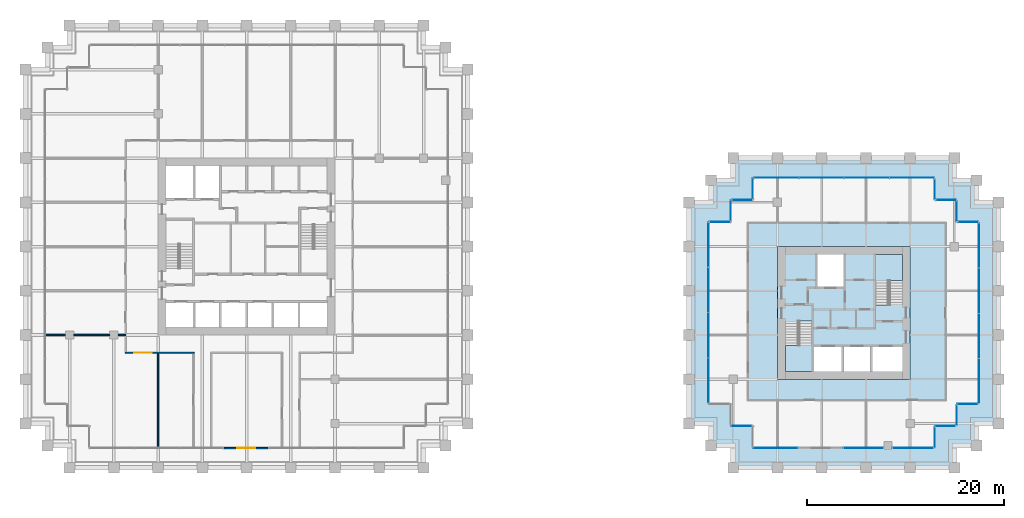
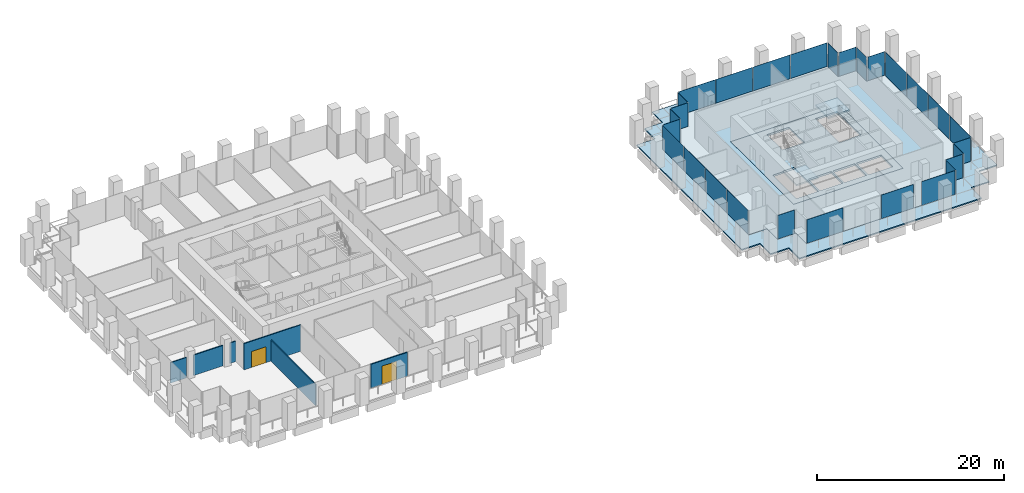
# One storey, part 49 of 56: 28 plates, 6 walls, 5 slabs, 2 doors, 2 openings, 21 elements without a shape of their own.
"""IFC4 building model written with IfcOpenShell, lengths in metres."""

from ifc_helpers import new_model, si_unit, direction, frame, frame_2d, origin, origin_2d, place, context, subcontext, project, spatial, polyline, rectangle, outline, extrude, material, layer, layer_set, type_object, element, fill, aggregate, save


model = new_model("IFC4")

# Units and contexts
model_context = context("Model", 3, precision=1e-05, world=origin(), true_north=direction((0.0, 1.0)))
body_context = subcontext(model_context, "Body", "Model", "MODEL_VIEW")
ifc_project = project(units=[si_unit("LENGTHUNIT", "METRE"), si_unit("AREAUNIT", "SQUARE_METRE"), si_unit("VOLUMEUNIT", "CUBIC_METRE"), si_unit("PLANEANGLEUNIT", "RADIAN"), si_unit("MASSUNIT", "GRAM", prefix="KILO")], contexts=[model_context])

# Site, building, storey
site_placement = place(None, origin())
site = spatial("IfcSite", under=ifc_project, at=site_placement, CompositionType="ELEMENT")
building_placement = place(site_placement, origin())
building = spatial("IfcBuilding", under=site, at=building_placement, Name="Altepetl Exchange Towers", CompositionType="ELEMENT")
storey_placement = place(building_placement, frame((0.0, 0.0, 69.0)))
storey = spatial("IfcBuildingStorey", under=building, at=storey_placement, Name="L16", CompositionType="ELEMENT", Elevation=69.0)

# Slabs
ifc_material_1 = material(Name="Concrete C40/50", Category="concrete")
ifc_layer_1 = layer(ifc_material_1, 0.14990234375)
ifc_layer_set_1 = layer_set([ifc_layer_1], Name="Concrete C40/50")
slab_type_1 = type_object("IfcSlabType", Name="Composite floor slab 150", PredefinedType="FLOOR", material=ifc_layer_set_1)
slab_1_placement = place(storey_placement, frame((0.0, 0.0, -0.14990234375)))
element("IfcSlab", 1, at=slab_1_placement, inside=storey, type_object=slab_type_1, Name="slab:B:L16:strip0", PredefinedType="FLOOR", context=body_context, shape_type="SweptSolid", body=[
    extrude(outline(polyline([(98.75, 54.25), (98.75, 52.0), (96.5, 52.0), (96.5, 33.5), (98.75, 33.5), (98.75, 31.25), (101.0, 31.25), (101.0, 29.0), (119.5, 29.0), (119.5, 31.25), (121.75, 31.25), (121.75, 33.5), (124.0, 33.5), (124.0, 52.0), (121.75, 52.0), (121.75, 54.25), (119.5, 54.25), (119.5, 56.5), (101.0, 56.5), (101.0, 54.25), (98.75, 54.25)]), holes=[polyline([(117.0, 49.5), (117.0, 36.0), (103.5, 36.0), (103.5, 49.5), (117.0, 49.5)])]), origin(), (0.0, 0.0, 1.0), 0.14990234375),
])
ifc_layer_2 = layer(ifc_material_1, 0.25)
ifc_layer_set_2 = layer_set([ifc_layer_2], Name="Concrete C40/50")
slab_type_2 = type_object("IfcSlabType", Name="Core floor slab 250", PredefinedType="FLOOR", material=ifc_layer_set_2)
slab_2_placement = place(storey_placement, frame((0.0, 0.0, -0.25)))
element("IfcSlab", 2, at=slab_2_placement, inside=storey, type_object=slab_type_2, Name="slab:B:L16:core0", PredefinedType="FLOOR", context=body_context, shape_type="SweptSolid", body=[
    extrude(outline(polyline([(103.5, 36.0), (117.0, 36.0), (117.0, 49.5), (103.5, 49.5), (103.5, 36.0)]), holes=[polyline([(107.199951171875, 36.800048828125), (107.199951171875, 39.300048828125), (110.032958984375, 39.300048828125), (110.032958984375, 36.800048828125), (107.199951171875, 36.800048828125)]), polyline([(110.23291015625, 39.300048828125), (112.967041015625, 39.300048828125), (112.967041015625, 36.800048828125), (110.23291015625, 36.800048828125), (110.23291015625, 39.300048828125)]), polyline([(113.1669921875, 39.300048828125), (116.199951171875, 39.300048828125), (116.199951171875, 36.800048828125), (113.1669921875, 36.800048828125), (113.1669921875, 39.300048828125)]), polyline([(107.0, 36.800048828125), (104.300048828125, 36.800048828125), (104.300048828125, 41.85009765625), (105.60009765625, 41.85009765625), (105.60009765625, 41.948974609375), (107.0, 41.948974609375), (107.0, 36.800048828125)]), polyline([(116.199951171875, 48.699951171875), (116.199951171875, 43.64990234375), (114.89990234375, 43.64990234375), (114.89990234375, 43.551025390625), (113.5, 43.551025390625), (113.5, 48.699951171875), (116.199951171875, 48.699951171875)]), polyline([(107.532958984375, 48.699951171875), (110.26708984375, 48.699951171875), (110.26708984375, 45.39990234375), (107.532958984375, 45.39990234375), (107.532958984375, 48.699951171875)])]), origin(), (0.0, 0.0, 1.0), 0.25),
])

# Curtain wall, plate
ifc_material_2 = material(Name="Aluminium 6063-T6 glazing", Category="aluminium")
curtain_wall_type = type_object("IfcCurtainWallType", Name="Loggia glazing system", PredefinedType="NOTDEFINED", material=ifc_material_2)
curtain_wall_1_placement = place(storey_placement, origin())
curtain_wall_1 = element("IfcCurtainWall", 3, at=curtain_wall_1_placement, inside=storey, type_object=curtain_wall_type, Name="CW1 run", PredefinedType="NOTDEFINED")
ifc_material_3 = material(Name="Glass 6-16-6 low emissivity", Category="glass")
ifc_layer_3 = layer(ifc_material_3, 0.028076171875)
ifc_layer_set_3 = layer_set([ifc_layer_3], Name="Glass 6-16-6 low emissivity")
plate_type = type_object("IfcPlateType", Name="Glass panel 28 double glazed", PredefinedType="CURTAIN_PANEL", material=ifc_layer_set_3)
plate_1_placement = place(storey_placement, frame((97.66259765625, 52.0, 0.0), z_axis=(0.0, 0.0, 1.0), x_axis=(-1.0, 0.0, 0.0)))
plate_1 = element("IfcPlate", 4, at=plate_1_placement, type_object=plate_type, Name="GP1 panel", PredefinedType="CURTAIN_PANEL", context=body_context, shape_type="SweptSolid", body=[
    extrude(rectangle(XDim=2.054931640625, YDim=0.028076171875, at=origin_2d()), origin(), (0.0, 0.0, 1.0), 3.10009765625),
])
aggregate(curtain_wall_1, [plate_1])

# Curtain wall, plates
curtain_wall_2_placement = place(storey_placement, origin())
curtain_wall_2 = element("IfcCurtainWall", 5, at=curtain_wall_2_placement, inside=storey, type_object=curtain_wall_type, Name="CW1 run", PredefinedType="NOTDEFINED")
plate_2_placement = place(storey_placement, frame((96.5, 49.681884765625, 0.0), z_axis=(0.0, 0.0, 1.0), x_axis=(0.0, -1.0, 0.0)))
plate_2 = element("IfcPlate", 6, at=plate_2_placement, type_object=plate_type, Name="GP1 panel", PredefinedType="CURTAIN_PANEL", context=body_context, shape_type="SweptSolid", body=[
    extrude(rectangle(XDim=4.516357421875, YDim=0.028076171875, at=origin_2d()), origin(), (0.0, 0.0, 1.0), 3.10009765625),
])
plate_3_placement = place(storey_placement, frame((96.5, 45.090576171875, 0.0), z_axis=(0.0, 0.0, 1.0), x_axis=(0.0, -1.0, 0.0)))
plate_3 = element("IfcPlate", 7, at=plate_3_placement, type_object=plate_type, Name="GP1 panel", PredefinedType="CURTAIN_PANEL", context=body_context, shape_type="SweptSolid", body=[
    extrude(rectangle(XDim=4.546142578125, YDim=0.028076171875, at=origin_2d()), origin(), (0.0, 0.0, 1.0), 3.10009765625),
])
plate_4_placement = place(storey_placement, frame((96.5, 40.484375, 0.0), z_axis=(0.0, 0.0, 1.0), x_axis=(0.0, -1.0, 0.0)))
plate_4 = element("IfcPlate", 8, at=plate_4_placement, type_object=plate_type, Name="GP1 panel", PredefinedType="CURTAIN_PANEL", context=body_context, shape_type="SweptSolid", body=[
    extrude(rectangle(XDim=4.546142578125, YDim=0.028076171875, at=origin_2d()), origin(), (0.0, 0.0, 1.0), 3.10009765625),
])
plate_5_placement = place(storey_placement, frame((96.5, 35.89306640625, 0.0), z_axis=(0.0, 0.0, 1.0), x_axis=(0.0, -1.0, 0.0)))
plate_5 = element("IfcPlate", 9, at=plate_5_placement, type_object=plate_type, Name="GP1 panel", PredefinedType="CURTAIN_PANEL", context=body_context, shape_type="SweptSolid", body=[
    extrude(rectangle(XDim=4.516357421875, YDim=0.028076171875, at=origin_2d()), origin(), (0.0, 0.0, 1.0), 3.10009765625),
])
aggregate(curtain_wall_2, [plate_2, plate_3, plate_4, plate_5])

# Curtain wall, plate
curtain_wall_3_placement = place(storey_placement, origin())
curtain_wall_3 = element("IfcCurtainWall", 10, at=curtain_wall_3_placement, inside=storey, type_object=curtain_wall_type, Name="CW1 run", PredefinedType="NOTDEFINED")
plate_6_placement = place(storey_placement, frame((99.83740234375, 31.25, 0.0)))
plate_6 = element("IfcPlate", 11, at=plate_6_placement, type_object=plate_type, Name="GP1 panel", PredefinedType="CURTAIN_PANEL", context=body_context, shape_type="SweptSolid", body=[
    extrude(rectangle(XDim=2.054931640625, YDim=0.028076171875, at=origin_2d()), origin(), (0.0, 0.0, 1.0), 3.10009765625),
])
aggregate(curtain_wall_3, [plate_6])

curtain_wall_4_placement = place(storey_placement, origin())
curtain_wall_4 = element("IfcCurtainWall", 12, at=curtain_wall_4_placement, inside=storey, type_object=curtain_wall_type, Name="CW1 run", PredefinedType="NOTDEFINED")
plate_7_placement = place(storey_placement, frame((103.30322265625, 29.0, 0.0)))
plate_7 = element("IfcPlate", 13, at=plate_7_placement, type_object=plate_type, Name="GP1 panel", PredefinedType="CURTAIN_PANEL", context=body_context, shape_type="SweptSolid", body=[
    extrude(rectangle(XDim=4.486328125, YDim=0.028076171875, at=origin_2d()), origin(), (0.0, 0.0, 1.0), 3.10009765625),
])
aggregate(curtain_wall_4, [plate_7])

curtain_wall_5_placement = place(storey_placement, origin())
curtain_wall_5 = element("IfcCurtainWall", 14, at=curtain_wall_5_placement, inside=storey, type_object=curtain_wall_type, Name="CW1 run", PredefinedType="NOTDEFINED")
plate_8_placement = place(storey_placement, frame((112.2587890625, 29.0, 0.0)))
plate_8 = element("IfcPlate", 15, at=plate_8_placement, type_object=plate_type, Name="GP1 panel", PredefinedType="CURTAIN_PANEL", context=body_context, shape_type="SweptSolid", body=[
    extrude(rectangle(XDim=3.972412109375, YDim=0.028076171875, at=origin_2d()), origin(), (0.0, 0.0, 1.0), 3.10009765625),
])
aggregate(curtain_wall_5, [plate_8])

curtain_wall_6_placement = place(storey_placement, origin())
curtain_wall_6 = element("IfcCurtainWall", 16, at=curtain_wall_6_placement, inside=storey, type_object=curtain_wall_type, Name="CW1 run", PredefinedType="NOTDEFINED")
plate_9_placement = place(storey_placement, frame((117.31005859375, 29.0, 0.0)))
plate_9 = element("IfcPlate", 17, at=plate_9_placement, type_object=plate_type, Name="GP1 panel", PredefinedType="CURTAIN_PANEL", context=body_context, shape_type="SweptSolid", body=[
    extrude(rectangle(XDim=4.110107421875, YDim=0.028076171875, at=origin_2d()), origin(), (0.0, 0.0, 1.0), 3.10009765625),
])
aggregate(curtain_wall_6, [plate_9])

curtain_wall_7_placement = place(storey_placement, origin())
curtain_wall_7 = element("IfcCurtainWall", 18, at=curtain_wall_7_placement, inside=storey, type_object=curtain_wall_type, Name="CW1 run", PredefinedType="NOTDEFINED")
plate_10_placement = place(storey_placement, frame((119.5, 30.08740234375, 0.0), z_axis=(0.0, 0.0, 1.0), x_axis=(0.0, 1.0, 0.0)))
plate_10 = element("IfcPlate", 19, at=plate_10_placement, type_object=plate_type, Name="GP1 panel", PredefinedType="CURTAIN_PANEL", context=body_context, shape_type="SweptSolid", body=[
    extrude(rectangle(XDim=2.054931640625, YDim=0.028076171875, at=origin_2d()), origin(), (0.0, 0.0, 1.0), 3.10009765625),
])
aggregate(curtain_wall_7, [plate_10])

curtain_wall_8_placement = place(storey_placement, origin())
curtain_wall_8 = element("IfcCurtainWall", 20, at=curtain_wall_8_placement, inside=storey, type_object=curtain_wall_type, Name="CW1 run", PredefinedType="NOTDEFINED")
plate_11_placement = place(storey_placement, frame((120.58740234375, 31.25, 0.0)))
plate_11 = element("IfcPlate", 21, at=plate_11_placement, type_object=plate_type, Name="GP1 panel", PredefinedType="CURTAIN_PANEL", context=body_context, shape_type="SweptSolid", body=[
    extrude(rectangle(XDim=2.054931640625, YDim=0.028076171875, at=origin_2d()), origin(), (0.0, 0.0, 1.0), 3.10009765625),
])
aggregate(curtain_wall_8, [plate_11])

curtain_wall_9_placement = place(storey_placement, origin())
curtain_wall_9 = element("IfcCurtainWall", 22, at=curtain_wall_9_placement, inside=storey, type_object=curtain_wall_type, Name="CW1 run", PredefinedType="NOTDEFINED")
plate_12_placement = place(storey_placement, frame((121.75, 32.33740234375, 0.0), z_axis=(0.0, 0.0, 1.0), x_axis=(0.0, 1.0, 0.0)))
plate_12 = element("IfcPlate", 23, at=plate_12_placement, type_object=plate_type, Name="GP1 panel", PredefinedType="CURTAIN_PANEL", context=body_context, shape_type="SweptSolid", body=[
    extrude(rectangle(XDim=2.054931640625, YDim=0.028076171875, at=origin_2d()), origin(), (0.0, 0.0, 1.0), 3.10009765625),
])
aggregate(curtain_wall_9, [plate_12])

curtain_wall_10_placement = place(storey_placement, origin())
curtain_wall_10 = element("IfcCurtainWall", 24, at=curtain_wall_10_placement, inside=storey, type_object=curtain_wall_type, Name="CW1 run", PredefinedType="NOTDEFINED")
plate_13_placement = place(storey_placement, frame((122.83740234375, 33.5, 0.0)))
plate_13 = element("IfcPlate", 25, at=plate_13_placement, type_object=plate_type, Name="GP1 panel", PredefinedType="CURTAIN_PANEL", context=body_context, shape_type="SweptSolid", body=[
    extrude(rectangle(XDim=2.054931640625, YDim=0.028076171875, at=origin_2d()), origin(), (0.0, 0.0, 1.0), 3.10009765625),
])
aggregate(curtain_wall_10, [plate_13])

# Curtain wall, plates
curtain_wall_11_placement = place(storey_placement, origin())
curtain_wall_11 = element("IfcCurtainWall", 26, at=curtain_wall_11_placement, inside=storey, type_object=curtain_wall_type, Name="CW1 run", PredefinedType="NOTDEFINED")
plate_14_placement = place(storey_placement, frame((124.0, 35.818115234375, 0.0), z_axis=(0.0, 0.0, 1.0), x_axis=(0.0, 1.0, 0.0)))
plate_14 = element("IfcPlate", 27, at=plate_14_placement, type_object=plate_type, Name="GP1 panel", PredefinedType="CURTAIN_PANEL", context=body_context, shape_type="SweptSolid", body=[
    extrude(rectangle(XDim=4.516357421875, YDim=0.028076171875, at=origin_2d()), origin(), (0.0, 0.0, 1.0), 3.10009765625),
])
plate_15_placement = place(storey_placement, frame((124.0, 40.409423828125, 0.0), z_axis=(0.0, 0.0, 1.0), x_axis=(0.0, 1.0, 0.0)))
plate_15 = element("IfcPlate", 28, at=plate_15_placement, type_object=plate_type, Name="GP1 panel", PredefinedType="CURTAIN_PANEL", context=body_context, shape_type="SweptSolid", body=[
    extrude(rectangle(XDim=4.546142578125, YDim=0.028076171875, at=origin_2d()), origin(), (0.0, 0.0, 1.0), 3.10009765625),
])
plate_16_placement = place(storey_placement, frame((124.0, 45.015625, 0.0), z_axis=(0.0, 0.0, 1.0), x_axis=(0.0, 1.0, 0.0)))
plate_16 = element("IfcPlate", 29, at=plate_16_placement, type_object=plate_type, Name="GP1 panel", PredefinedType="CURTAIN_PANEL", context=body_context, shape_type="SweptSolid", body=[
    extrude(rectangle(XDim=4.546142578125, YDim=0.028076171875, at=origin_2d()), origin(), (0.0, 0.0, 1.0), 3.10009765625),
])
plate_17_placement = place(storey_placement, frame((124.0, 49.60693359375, 0.0), z_axis=(0.0, 0.0, 1.0), x_axis=(0.0, 1.0, 0.0)))
plate_17 = element("IfcPlate", 30, at=plate_17_placement, type_object=plate_type, Name="GP1 panel", PredefinedType="CURTAIN_PANEL", context=body_context, shape_type="SweptSolid", body=[
    extrude(rectangle(XDim=4.516357421875, YDim=0.028076171875, at=origin_2d()), origin(), (0.0, 0.0, 1.0), 3.10009765625),
])
aggregate(curtain_wall_11, [plate_14, plate_15, plate_16, plate_17])

# Curtain wall, plate
curtain_wall_12_placement = place(storey_placement, origin())
curtain_wall_12 = element("IfcCurtainWall", 31, at=curtain_wall_12_placement, inside=storey, type_object=curtain_wall_type, Name="CW1 run", PredefinedType="NOTDEFINED")
plate_18_placement = place(storey_placement, frame((122.91259765625, 52.0, 0.0), z_axis=(0.0, 0.0, 1.0), x_axis=(-1.0, 0.0, 0.0)))
plate_18 = element("IfcPlate", 32, at=plate_18_placement, type_object=plate_type, Name="GP1 panel", PredefinedType="CURTAIN_PANEL", context=body_context, shape_type="SweptSolid", body=[
    extrude(rectangle(XDim=2.054931640625, YDim=0.028076171875, at=origin_2d()), origin(), (0.0, 0.0, 1.0), 3.10009765625),
])
aggregate(curtain_wall_12, [plate_18])

curtain_wall_13_placement = place(storey_placement, origin())
curtain_wall_13 = element("IfcCurtainWall", 33, at=curtain_wall_13_placement, inside=storey, type_object=curtain_wall_type, Name="CW1 run", PredefinedType="NOTDEFINED")
plate_19_placement = place(storey_placement, frame((121.75, 53.08740234375, 0.0), z_axis=(0.0, 0.0, 1.0), x_axis=(0.0, 1.0, 0.0)))
plate_19 = element("IfcPlate", 34, at=plate_19_placement, type_object=plate_type, Name="GP1 panel", PredefinedType="CURTAIN_PANEL", context=body_context, shape_type="SweptSolid", body=[
    extrude(rectangle(XDim=2.054931640625, YDim=0.028076171875, at=origin_2d()), origin(), (0.0, 0.0, 1.0), 3.10009765625),
])
aggregate(curtain_wall_13, [plate_19])

curtain_wall_14_placement = place(storey_placement, origin())
curtain_wall_14 = element("IfcCurtainWall", 35, at=curtain_wall_14_placement, inside=storey, type_object=curtain_wall_type, Name="CW1 run", PredefinedType="NOTDEFINED")
plate_20_placement = place(storey_placement, frame((120.66259765625, 54.25, 0.0), z_axis=(0.0, 0.0, 1.0), x_axis=(-1.0, 0.0, 0.0)))
plate_20 = element("IfcPlate", 36, at=plate_20_placement, type_object=plate_type, Name="GP1 panel", PredefinedType="CURTAIN_PANEL", context=body_context, shape_type="SweptSolid", body=[
    extrude(rectangle(XDim=2.054931640625, YDim=0.028076171875, at=origin_2d()), origin(), (0.0, 0.0, 1.0), 3.10009765625),
])
aggregate(curtain_wall_14, [plate_20])

curtain_wall_15_placement = place(storey_placement, origin())
curtain_wall_15 = element("IfcCurtainWall", 37, at=curtain_wall_15_placement, inside=storey, type_object=curtain_wall_type, Name="CW1 run", PredefinedType="NOTDEFINED")
plate_21_placement = place(storey_placement, frame((119.5, 55.33740234375, 0.0), z_axis=(0.0, 0.0, 1.0), x_axis=(0.0, 1.0, 0.0)))
plate_21 = element("IfcPlate", 38, at=plate_21_placement, type_object=plate_type, Name="GP1 panel", PredefinedType="CURTAIN_PANEL", context=body_context, shape_type="SweptSolid", body=[
    extrude(rectangle(XDim=2.054931640625, YDim=0.028076171875, at=origin_2d()), origin(), (0.0, 0.0, 1.0), 3.10009765625),
])
aggregate(curtain_wall_15, [plate_21])

# Curtain wall, plates
curtain_wall_16_placement = place(storey_placement, origin())
curtain_wall_16 = element("IfcCurtainWall", 39, at=curtain_wall_16_placement, inside=storey, type_object=curtain_wall_type, Name="CW1 run", PredefinedType="NOTDEFINED")
plate_22_placement = place(storey_placement, frame((117.181884765625, 56.5, 0.0), z_axis=(0.0, 0.0, 1.0), x_axis=(-1.0, 0.0, 0.0)))
plate_22 = element("IfcPlate", 40, at=plate_22_placement, type_object=plate_type, Name="GP1 panel", PredefinedType="CURTAIN_PANEL", context=body_context, shape_type="SweptSolid", body=[
    extrude(rectangle(XDim=4.516357421875, YDim=0.028076171875, at=origin_2d()), origin(), (0.0, 0.0, 1.0), 3.10009765625),
])
plate_23_placement = place(storey_placement, frame((112.590576171875, 56.5, 0.0), z_axis=(0.0, 0.0, 1.0), x_axis=(-1.0, 0.0, 0.0)))
plate_23 = element("IfcPlate", 41, at=plate_23_placement, type_object=plate_type, Name="GP1 panel", PredefinedType="CURTAIN_PANEL", context=body_context, shape_type="SweptSolid", body=[
    extrude(rectangle(XDim=4.546142578125, YDim=0.028076171875, at=origin_2d()), origin(), (0.0, 0.0, 1.0), 3.10009765625),
])
plate_24_placement = place(storey_placement, frame((107.984375, 56.5, 0.0), z_axis=(0.0, 0.0, 1.0), x_axis=(-1.0, 0.0, 0.0)))
plate_24 = element("IfcPlate", 42, at=plate_24_placement, type_object=plate_type, Name="GP1 panel", PredefinedType="CURTAIN_PANEL", context=body_context, shape_type="SweptSolid", body=[
    extrude(rectangle(XDim=4.546142578125, YDim=0.028076171875, at=origin_2d()), origin(), (0.0, 0.0, 1.0), 3.10009765625),
])
plate_25_placement = place(storey_placement, frame((103.39306640625, 56.5, 0.0), z_axis=(0.0, 0.0, 1.0), x_axis=(-1.0, 0.0, 0.0)))
plate_25 = element("IfcPlate", 43, at=plate_25_placement, type_object=plate_type, Name="GP1 panel", PredefinedType="CURTAIN_PANEL", context=body_context, shape_type="SweptSolid", body=[
    extrude(rectangle(XDim=4.516357421875, YDim=0.028076171875, at=origin_2d()), origin(), (0.0, 0.0, 1.0), 3.10009765625),
])
aggregate(curtain_wall_16, [plate_22, plate_23, plate_24, plate_25])

# Curtain wall, plate
curtain_wall_17_placement = place(storey_placement, origin())
curtain_wall_17 = element("IfcCurtainWall", 44, at=curtain_wall_17_placement, inside=storey, type_object=curtain_wall_type, Name="CW1 run", PredefinedType="NOTDEFINED")
plate_26_placement = place(storey_placement, frame((101.0, 55.41259765625, 0.0), z_axis=(0.0, 0.0, 1.0), x_axis=(0.0, -1.0, 0.0)))
plate_26 = element("IfcPlate", 45, at=plate_26_placement, type_object=plate_type, Name="GP1 panel", PredefinedType="CURTAIN_PANEL", context=body_context, shape_type="SweptSolid", body=[
    extrude(rectangle(XDim=2.054931640625, YDim=0.028076171875, at=origin_2d()), origin(), (0.0, 0.0, 1.0), 3.10009765625),
])
aggregate(curtain_wall_17, [plate_26])

curtain_wall_18_placement = place(storey_placement, origin())
curtain_wall_18 = element("IfcCurtainWall", 46, at=curtain_wall_18_placement, inside=storey, type_object=curtain_wall_type, Name="CW1 run", PredefinedType="NOTDEFINED")
plate_27_placement = place(storey_placement, frame((99.91259765625, 54.25, 0.0), z_axis=(0.0, 0.0, 1.0), x_axis=(-1.0, 0.0, 0.0)))
plate_27 = element("IfcPlate", 47, at=plate_27_placement, type_object=plate_type, Name="GP1 panel", PredefinedType="CURTAIN_PANEL", context=body_context, shape_type="SweptSolid", body=[
    extrude(rectangle(XDim=2.054931640625, YDim=0.028076171875, at=origin_2d()), origin(), (0.0, 0.0, 1.0), 3.10009765625),
])
aggregate(curtain_wall_18, [plate_27])

curtain_wall_19_placement = place(storey_placement, origin())
curtain_wall_19 = element("IfcCurtainWall", 48, at=curtain_wall_19_placement, inside=storey, type_object=curtain_wall_type, Name="CW1 run", PredefinedType="NOTDEFINED")
plate_28_placement = place(storey_placement, frame((98.75, 53.16259765625, 0.0), z_axis=(0.0, 0.0, 1.0), x_axis=(0.0, -1.0, 0.0)))
plate_28 = element("IfcPlate", 49, at=plate_28_placement, type_object=plate_type, Name="GP1 panel", PredefinedType="CURTAIN_PANEL", context=body_context, shape_type="SweptSolid", body=[
    extrude(rectangle(XDim=2.054931640625, YDim=0.028076171875, at=origin_2d()), origin(), (0.0, 0.0, 1.0), 3.10009765625),
])
aggregate(curtain_wall_19, [plate_28])

# Slab
ifc_layer_4 = layer(ifc_material_1, 0.14990234375)
ifc_layer_set_4 = layer_set([ifc_layer_4], Name="Concrete C40/50")
slab_type_3 = type_object("IfcSlabType", Name="Loggia slab 150", PredefinedType="FLOOR", material=ifc_layer_set_4)
slab_3_placement = place(storey_placement, frame((0.0, 0.0, -0.14990234375)))
element("IfcSlab", 50, at=slab_3_placement, inside=storey, type_object=slab_type_3, Name="slab:B:L16:loggia0", PredefinedType="FLOOR", context=body_context, shape_type="SweptSolid", body=[
    extrude(outline(polyline([(96.75, 54.0), (94.5, 54.0), (94.5, 36.0), (94.5, 31.5), (96.75, 31.5), (96.75, 29.25), (99.0, 29.25), (99.0, 27.0), (117.0, 27.0), (121.5, 27.0), (121.5, 29.25), (123.75, 29.25), (123.75, 31.5), (126.0, 31.5), (126.0, 49.5), (126.0, 54.0), (123.75, 54.0), (123.75, 56.25), (121.5, 56.25), (121.5, 58.5), (103.5, 58.5), (99.0, 58.5), (99.0, 56.25), (96.75, 56.25), (96.75, 54.0)]), holes=[polyline([(96.5, 52.0), (98.75, 52.0), (98.75, 54.25), (101.0, 54.25), (101.0, 56.5), (119.5, 56.5), (119.5, 54.25), (121.75, 54.25), (121.75, 52.0), (124.0, 52.0), (124.0, 33.5), (121.75, 33.5), (121.75, 31.25), (119.5, 31.25), (119.5, 29.0), (101.0, 29.0), (101.0, 31.25), (98.75, 31.25), (98.75, 33.5), (96.5, 33.5), (96.5, 52.0)])]), origin(), (0.0, 0.0, 1.0), 0.14990234375),
])

# Stair, slab
stair_type = type_object("IfcStairType", Name="Exit stair 1300 flights dogleg", PredefinedType="HALF_TURN_STAIR", material=ifc_material_1)
stair_1_placement = place(storey_placement, origin())
stair_1 = element("IfcStair", 51, at=stair_1_placement, inside=storey, type_object=stair_type, Name="Exit stair 1", PredefinedType="HALF_TURN_STAIR")
ifc_layer_5 = layer(ifc_material_1, 0.199951171875)
ifc_layer_set_5 = layer_set([ifc_layer_5], Name="Concrete C40/50")
slab_type_4 = type_object("IfcSlabType", Name="Stair landing 200 reinforced concrete", PredefinedType="LANDING", material=ifc_layer_set_5)
slab_4_placement = place(storey_placement, frame((0.0, 0.0, 1.60009765625)))
slab_4 = element("IfcSlab", 52, at=slab_4_placement, type_object=slab_type_4, Name="ST-B1c landing 1", PredefinedType="LANDING", context=body_context, shape_type="SweptSolid", body=[
    extrude(outline(polyline([(107.0, 36.800048828125), (104.300048828125, 36.800048828125), (104.300048828125, 39.429931640625), (104.300048828125, 39.4306640625), (105.60009765625, 39.4306640625), (105.60009765625, 39.429931640625), (105.699951171875, 39.429931640625), (105.699951171875, 39.530029296875), (107.0, 39.530029296875), (107.0, 39.429931640625), (107.0, 36.800048828125)])), origin(), (0.0, 0.0, 1.0), 0.199951171875),
])
aggregate(stair_1, [slab_4])

stair_2_placement = place(storey_placement, origin())
stair_2 = element("IfcStair", 53, at=stair_2_placement, inside=storey, type_object=stair_type, Name="Exit stair 2", PredefinedType="HALF_TURN_STAIR")
slab_5_placement = place(storey_placement, frame((0.0, 0.0, 1.60009765625)))
slab_5 = element("IfcSlab", 54, at=slab_5_placement, type_object=slab_type_4, Name="ST-B2c landing 1", PredefinedType="LANDING", context=body_context, shape_type="SweptSolid", body=[
    extrude(outline(polyline([(114.800048828125, 45.969970703125), (113.5, 45.969970703125), (113.5, 46.070068359375), (113.5, 48.699951171875), (116.199951171875, 48.699951171875), (116.199951171875, 46.070068359375), (116.199951171875, 46.0693359375), (114.89990234375, 46.0693359375), (114.89990234375, 46.070068359375), (114.800048828125, 46.070068359375), (114.800048828125, 45.969970703125)])), origin(), (0.0, 0.0, 1.0), 0.199951171875),
])
aggregate(stair_2, [slab_5])

# Wall, opening, door
ifc_material_4 = material(Name="Aluminium composite cladding", Category="aluminium")
ifc_layer_6 = layer(ifc_material_4, 0.14990234375)
ifc_layer_set_6 = layer_set([ifc_layer_6], Name="Aluminium composite cladding")
wall_type_1 = type_object("IfcWallType", Name="Infill wall 150 aluminium panel", PredefinedType="SOLIDWALL", material=ifc_layer_set_6)
wall_1_placement = place(storey_placement, frame((47.18212890625, 29.0, 0.0)))
wall_1 = element("IfcWall", 55, at=wall_1_placement, inside=storey, type_object=wall_type_1, Name="Loggia door bay wall", PredefinedType="SOLIDWALL", context=body_context, shape_type="SweptSolid", body=[
    extrude(rectangle(XDim=4.560791015625, YDim=0.14990234375, at=frame_2d((2.2802734375, 0.0))), origin(), (0.0, 0.0, 1.0), 3.10009765625),
])
opening_1_placement = place(wall_1_placement, frame((1.38037109375, 0.0, 0.0)))
opening_1 = element("IfcOpeningElement", 56, at=opening_1_placement, cuts=wall_1, Name="Opening L16.A90", PredefinedType="OPENING", context=body_context, shape_type="SweptSolid", body=[
    extrude(rectangle(XDim=1.800048828125, YDim=2.39990234375, at=frame_2d((0.89990234375, 1.199951171875))), frame((0.0, 0.0849609375, 0.0), z_axis=(0.0, -1.0, 0.0), x_axis=(1.0, 0.0, 0.0)), (0.0, 0.0, 1.0), 0.169921875),
])
ifc_material_5 = material(Name="Aluminium 6063-T6 and glass", Category="aluminium")
door_type_1 = type_object("IfcDoorType", Name="Glazed door pair 1800x2400", OperationType="DOUBLE_DOOR_DOUBLE_SWING", PredefinedType="NOTDEFINED", material=ifc_material_5)
door_1_placement = place(opening_1_placement, frame((1.800048828125, 0.0, 0.0), x_axis=(-1.0, 0.0, 0.0)))
door_1 = element("IfcDoor", 57, at=door_1_placement, inside=storey, type_object=door_type_1, Name="Loggia door", OperationType="DOUBLE_DOOR_DOUBLE_SWING", OverallHeight=2.39990234375, OverallWidth=1.800048828125, PredefinedType="NOTDEFINED", context=body_context, shape_type="SweptSolid", body=[
    extrude(rectangle(XDim=1.800048828125, YDim=2.39990234375, at=frame_2d((0.89990234375, 1.199951171875))), frame((0.0, 0.02490234375, 0.0), z_axis=(0.0, -1.0, 0.0), x_axis=(1.0, 0.0, 0.0)), (0.0, 0.0, 1.0), 0.050048828125),
])
fill(opening_1, door_1)

ifc_material_6 = material(Name="Gypsum board on steel studs", Category="steel")
ifc_layer_7 = layer(ifc_material_6, 0.125)
ifc_layer_set_7 = layer_set([ifc_layer_7], Name="Gypsum board on steel studs")
wall_type_2 = type_object("IfcWallType", Name="Partition 125 gypsum board on steel studs", PredefinedType="PARTITIONING", material=ifc_layer_set_7)
wall_2_placement = place(storey_placement, frame((37.137451171875, 38.699951171875, 0.0)))
wall_2 = element("IfcWall", 58, at=wall_2_placement, inside=storey, type_object=wall_type_2, Name="wall:A:L16:P03", PredefinedType="PARTITIONING", context=body_context, shape_type="SweptSolid", body=[
    extrude(rectangle(XDim=7.025146484375, YDim=0.125, at=frame_2d((3.5126953125, 0.0))), origin(), (0.0, 0.0, 1.0), 3.449951171875),
])
opening_2_placement = place(wall_2_placement, frame((0.91748046875, 0.0, 0.0)))
opening_2 = element("IfcOpeningElement", 59, at=opening_2_placement, cuts=wall_2, Name="Opening L16.A03", PredefinedType="OPENING", context=body_context, shape_type="SweptSolid", body=[
    extrude(rectangle(XDim=1.800048828125, YDim=2.10009765625, at=frame_2d((0.89990234375, 1.050048828125))), frame((0.0, 0.072509765625, 0.0), z_axis=(0.0, -1.0, 0.0), x_axis=(1.0, 0.0, 0.0)), (0.0, 0.0, 1.0), 0.14501953125),
])
ifc_material_7 = material(Name="Steel and timber fire door", Category="steel")
door_type_2 = type_object("IfcDoorType", Name="Fire door 1800 x 2100 double leaf", OperationType="DOUBLE_DOOR_SINGLE_SWING", PredefinedType="DOOR", material=ifc_material_7)
door_2_placement = place(opening_2_placement, frame((1.800048828125, 0.0, 0.0), x_axis=(-1.0, 0.0, 0.0)))
door_2 = element("IfcDoor", 60, at=door_2_placement, inside=storey, type_object=door_type_2, Name="door:A:L16:03", OperationType="DOUBLE_DOOR_SINGLE_SWING", OverallHeight=2.10009765625, OverallWidth=1.800048828125, PredefinedType="DOOR", context=body_context, shape_type="SweptSolid", body=[
    extrude(rectangle(XDim=1.800048828125, YDim=2.10009765625, at=frame_2d((0.89990234375, 1.050048828125))), frame((0.0, 0.02490234375, 0.0), z_axis=(0.0, -1.0, 0.0), x_axis=(1.0, 0.0, 0.0)), (0.0, 0.0, 1.0), 0.050048828125),
])
fill(opening_2, door_2)

# Walls
wall_3_placement = place(storey_placement, frame((29.10009765625, 40.5, 0.0)))
element("IfcWall", 61, at=wall_3_placement, inside=storey, type_object=wall_type_2, Name="wall:A:L16:P06", PredefinedType="PARTITIONING", context=body_context, shape_type="SweptSolid", body=[
    extrude(rectangle(XDim=1.974853515625, YDim=0.125, at=frame_2d((0.9873046875, 0.0))), origin(), (0.0, 0.0, 1.0), 2.676025390625),
])
wall_4_placement = place(storey_placement, frame((31.925048828125, 40.5, 0.0)))
element("IfcWall", 62, at=wall_4_placement, inside=storey, type_object=wall_type_2, Name="wall:A:L16:P07", PredefinedType="PARTITIONING", context=body_context, shape_type="SweptSolid", body=[
    extrude(rectangle(XDim=3.64990234375, YDim=0.125, at=frame_2d((1.824951171875, 0.0))), origin(), (0.0, 0.0, 1.0), 2.676025390625),
])
wall_5_placement = place(storey_placement, frame((36.425048828125, 40.5, 0.0)))
element("IfcWall", 63, at=wall_5_placement, inside=storey, type_object=wall_type_2, Name="wall:A:L16:P08", PredefinedType="PARTITIONING", context=body_context, shape_type="SweptSolid", body=[
    extrude(rectangle(XDim=0.77490234375, YDim=0.125, at=frame_2d((0.387451171875, 0.0))), origin(), (0.0, 0.0, 1.0), 2.676025390625),
])
wall_6_placement = place(storey_placement, frame((40.5, 29.10009765625, 0.0), z_axis=(0.0, 0.0, 1.0), x_axis=(0.0, 1.0, 0.0)))
element("IfcWall", 64, at=wall_6_placement, inside=storey, type_object=wall_type_2, Name="wall:A:L16:P22", PredefinedType="PARTITIONING", context=body_context, shape_type="SweptSolid", body=[
    extrude(rectangle(XDim=9.599853515625, YDim=0.125, at=frame_2d((4.7998046875, 0.0))), origin(), (0.0, 0.0, 1.0), 2.76611328125),
])

save(model, "model.ifc")
